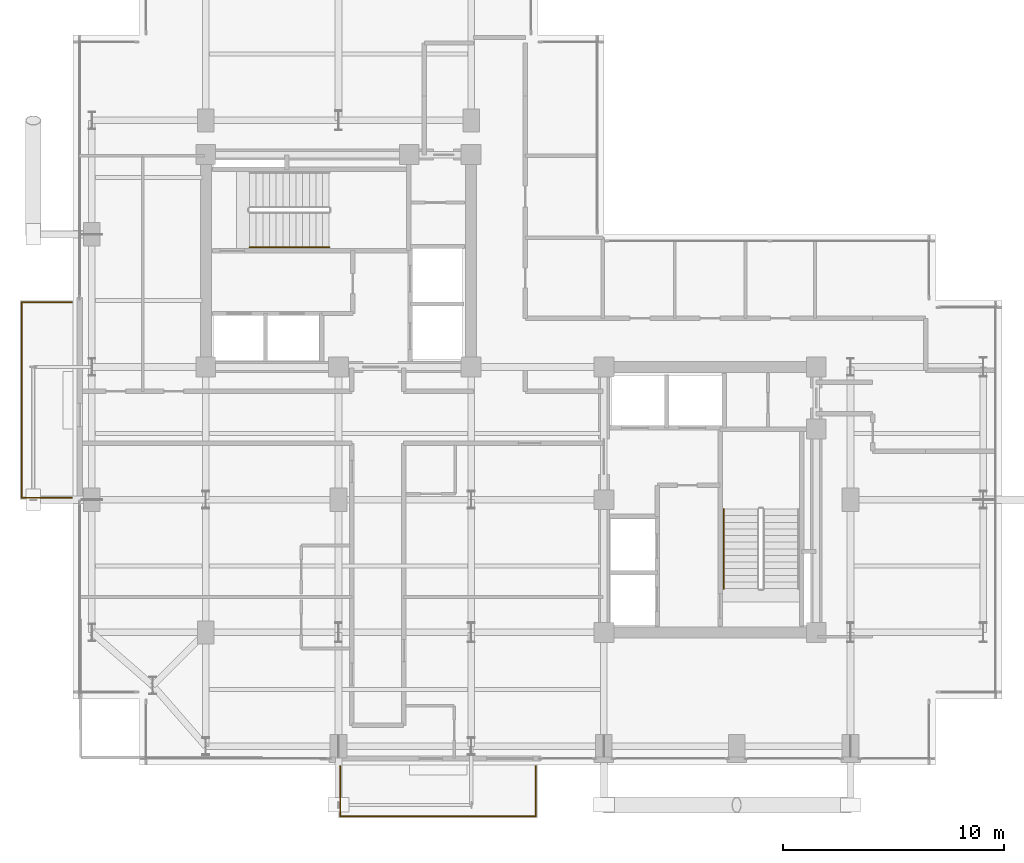
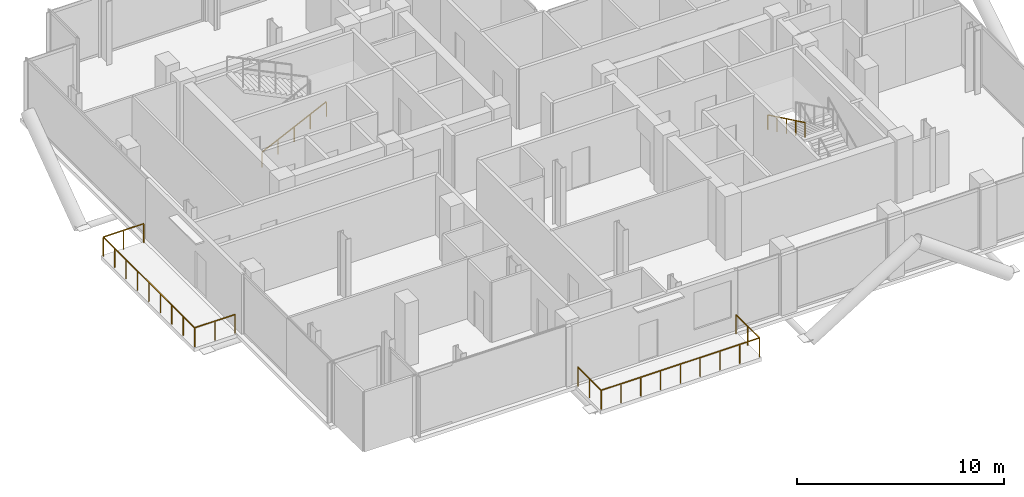
# One storey, part 20 of 21: 4 railings.
"""IFC4 building model written with IfcOpenShell, lengths in metres."""

from ifc_helpers import new_model, si_unit, direction, frame, origin, origin_2d, place, context, subcontext, project, spatial, rectangle, extrude, material, type_object, element, save


model = new_model("IFC4")

# Units and contexts
model_context = context("Model", 3, precision=1e-05, world=origin(), true_north=direction((0.0, 1.0)))
body_context = subcontext(model_context, "Body", "Model", "MODEL_VIEW")
ifc_project = project(units=[si_unit("LENGTHUNIT", "METRE"), si_unit("AREAUNIT", "SQUARE_METRE"), si_unit("VOLUMEUNIT", "CUBIC_METRE"), si_unit("PLANEANGLEUNIT", "RADIAN"), si_unit("MASSUNIT", "GRAM", prefix="KILO"), si_unit("THERMODYNAMICTEMPERATUREUNIT", "KELVIN"), si_unit("POWERUNIT", "WATT")], contexts=[model_context])

# Site, building, storey
site_placement = place(None, origin())
site = spatial("IfcSite", under=ifc_project, at=site_placement, CompositionType="ELEMENT")
building_placement = place(site_placement, origin())
building = spatial("IfcBuilding", under=site, at=building_placement, Name="Svarakhadi Broadcast Tower", CompositionType="ELEMENT")
storey_placement = place(building_placement, frame((0.0, 0.0, 208.64990234375)))
storey = spatial("IfcBuildingStorey", under=building, at=storey_placement, Name="L51", CompositionType="ELEMENT", Elevation=208.64990234375)

# Railings
ifc_material_1 = material(Name="Laminated Structural SentryGlas Balustrade 25.5 mm", Category="glass")
railing_type_1 = type_object("IfcRailingType", Name="Guard_Balcony_GR01", PredefinedType="BALUSTRADE", material=ifc_material_1)
railing_1_placement = place(storey_placement, frame((12.080078125, -0.06005859375, 0.0)))
element("IfcRailing", 1, at=railing_1_placement, inside=storey, type_object=railing_type_1, Name="L51 South Tree Balcony Guard GR-05", PredefinedType="BALUSTRADE", context=body_context, shape_type="SweptSolid", body=[
    extrude(rectangle(XDim=0.048095703125, YDim=0.048095703125, at=origin_2d()), frame((0.0, 0.0, 1.1259765625), z_axis=(0.0, -1.0, 0.0), x_axis=(1.0, 0.0, 0.0)), (0.0, 0.0, 1.0), 2.260009765625),
    extrude(rectangle(XDim=0.048095703125, YDim=0.048095703125, at=origin_2d()), frame((0.0, -2.260009765625, 1.1259765625), z_axis=(1.0, 0.0, 0.0), x_axis=(0.0, 1.0, 0.0)), (0.0, 0.0, 1.0), 8.83984375),
    extrude(rectangle(XDim=0.048095703125, YDim=0.048095703125, at=origin_2d()), frame((8.83984375, -2.260009765625, 1.1259765625), z_axis=(0.0, 1.0, 0.0), x_axis=(-1.0, 0.0, 0.0)), (0.0, 0.0, 1.0), 2.260009765625),
    extrude(rectangle(XDim=0.0419921875, YDim=0.0419921875, at=origin_2d()), origin(), (0.0, 0.0, 1.0), 1.101806640625),
    extrude(rectangle(XDim=0.0419921875, YDim=0.0419921875, at=origin_2d()), frame((0.0, -1.1298828125, 0.0)), (0.0, 0.0, 1.0), 1.101806640625),
    extrude(rectangle(XDim=0.0419921875, YDim=0.0419921875, at=origin_2d()), frame((0.0, -2.260009765625, 0.0)), (0.0, 0.0, 1.0), 1.101806640625),
    extrude(rectangle(XDim=0.0419921875, YDim=0.0419921875, at=origin_2d()), frame((1.10498046875, -2.260009765625, 0.0)), (0.0, 0.0, 1.0), 1.101806640625),
    extrude(rectangle(XDim=0.0419921875, YDim=0.0419921875, at=origin_2d()), frame((2.2099609375, -2.260009765625, 0.0)), (0.0, 0.0, 1.0), 1.101806640625),
    extrude(rectangle(XDim=0.0419921875, YDim=0.0419921875, at=origin_2d()), frame((3.31494140625, -2.260009765625, 0.0)), (0.0, 0.0, 1.0), 1.101806640625),
    extrude(rectangle(XDim=0.0419921875, YDim=0.0419921875, at=origin_2d()), frame((4.419921875, -2.260009765625, 0.0)), (0.0, 0.0, 1.0), 1.101806640625),
    extrude(rectangle(XDim=0.0419921875, YDim=0.0419921875, at=origin_2d()), frame((5.52490234375, -2.260009765625, 0.0)), (0.0, 0.0, 1.0), 1.101806640625),
    extrude(rectangle(XDim=0.0419921875, YDim=0.0419921875, at=origin_2d()), frame((6.6298828125, -2.260009765625, 0.0)), (0.0, 0.0, 1.0), 1.101806640625),
    extrude(rectangle(XDim=0.0419921875, YDim=0.0419921875, at=origin_2d()), frame((7.73486328125, -2.260009765625, 0.0)), (0.0, 0.0, 1.0), 1.101806640625),
    extrude(rectangle(XDim=0.0419921875, YDim=0.0419921875, at=origin_2d()), frame((8.83984375, -2.260009765625, 0.0)), (0.0, 0.0, 1.0), 1.101806640625),
    extrude(rectangle(XDim=0.0419921875, YDim=0.0419921875, at=origin_2d()), frame((8.83984375, -1.1298828125, 0.0)), (0.0, 0.0, 1.0), 1.101806640625),
    extrude(rectangle(XDim=0.0419921875, YDim=0.0419921875, at=origin_2d()), frame((8.83984375, 0.0, 0.0)), (0.0, 0.0, 1.0), 1.101806640625),
])
railing_2_placement = place(storey_placement, frame((-0.06005859375, 12.080078125, 0.0)))
element("IfcRailing", 2, at=railing_2_placement, inside=storey, type_object=railing_type_1, Name="L51 West Tree Balcony Guard GR-05", PredefinedType="BALUSTRADE", context=body_context, shape_type="SweptSolid", body=[
    extrude(rectangle(XDim=0.048095703125, YDim=0.048095703125, at=origin_2d()), frame((0.0, 0.0, 1.1259765625), z_axis=(-1.0, 0.0, 0.0), x_axis=(0.0, -1.0, 0.0)), (0.0, 0.0, 1.0), 2.260009765625),
    extrude(rectangle(XDim=0.048095703125, YDim=0.048095703125, at=origin_2d()), frame((-2.260009765625, 0.0, 1.1259765625), z_axis=(0.0, 1.0, 0.0), x_axis=(-1.0, 0.0, 0.0)), (0.0, 0.0, 1.0), 8.83984375),
    extrude(rectangle(XDim=0.048095703125, YDim=0.048095703125, at=origin_2d()), frame((-2.260009765625, 8.83984375, 1.1259765625), z_axis=(1.0, 0.0, 0.0), x_axis=(0.0, 1.0, 0.0)), (0.0, 0.0, 1.0), 2.260009765625),
    extrude(rectangle(XDim=0.0419921875, YDim=0.0419921875, at=origin_2d()), origin(), (0.0, 0.0, 1.0), 1.101806640625),
    extrude(rectangle(XDim=0.0419921875, YDim=0.0419921875, at=origin_2d()), frame((-1.1298828125, 0.0, 0.0)), (0.0, 0.0, 1.0), 1.101806640625),
    extrude(rectangle(XDim=0.0419921875, YDim=0.0419921875, at=origin_2d()), frame((-2.260009765625, 0.0, 0.0)), (0.0, 0.0, 1.0), 1.101806640625),
    extrude(rectangle(XDim=0.0419921875, YDim=0.0419921875, at=origin_2d()), frame((-2.260009765625, 1.10498046875, 0.0)), (0.0, 0.0, 1.0), 1.101806640625),
    extrude(rectangle(XDim=0.0419921875, YDim=0.0419921875, at=origin_2d()), frame((-2.260009765625, 2.2099609375, 0.0)), (0.0, 0.0, 1.0), 1.101806640625),
    extrude(rectangle(XDim=0.0419921875, YDim=0.0419921875, at=origin_2d()), frame((-2.260009765625, 3.31494140625, 0.0)), (0.0, 0.0, 1.0), 1.101806640625),
    extrude(rectangle(XDim=0.0419921875, YDim=0.0419921875, at=origin_2d()), frame((-2.260009765625, 4.419921875, 0.0)), (0.0, 0.0, 1.0), 1.101806640625),
    extrude(rectangle(XDim=0.0419921875, YDim=0.0419921875, at=origin_2d()), frame((-2.260009765625, 5.52490234375, 0.0)), (0.0, 0.0, 1.0), 1.101806640625),
    extrude(rectangle(XDim=0.0419921875, YDim=0.0419921875, at=origin_2d()), frame((-2.260009765625, 6.6298828125, 0.0)), (0.0, 0.0, 1.0), 1.101806640625),
    extrude(rectangle(XDim=0.0419921875, YDim=0.0419921875, at=origin_2d()), frame((-2.260009765625, 7.73486328125, 0.0)), (0.0, 0.0, 1.0), 1.101806640625),
    extrude(rectangle(XDim=0.0419921875, YDim=0.0419921875, at=origin_2d()), frame((-2.260009765625, 8.83984375, 0.0)), (0.0, 0.0, 1.0), 1.101806640625),
    extrude(rectangle(XDim=0.0419921875, YDim=0.0419921875, at=origin_2d()), frame((-1.1298828125, 8.83984375, 0.0)), (0.0, 0.0, 1.0), 1.101806640625),
    extrude(rectangle(XDim=0.0419921875, YDim=0.0419921875, at=origin_2d()), frame((0.0, 8.83984375, 0.0)), (0.0, 0.0, 1.0), 1.101806640625),
])
ifc_material_2 = material(Name="Anodised Bronze Aluminium AA 6063-T6", Category="aluminium")
railing_type_2 = type_object("IfcRailingType", Name="Handrail_Stair_HR01", PredefinedType="HANDRAIL", material=ifc_material_2)
railing_3_placement = place(storey_placement, frame((7.97998046875, 23.409912109375, 0.144287109375)))
element("IfcRailing", 3, at=railing_3_placement, inside=storey, type_object=railing_type_2, Name="L51 ST-01 stair handrail 1", PredefinedType="HANDRAIL", context=body_context, shape_type="SweptSolid", body=[
    extrude(rectangle(XDim=0.048095703125, YDim=0.048095703125, at=origin_2d()), frame((0.0, 0.0, 0.8759765625), z_axis=(0.901262522062, 0.0, 0.433273431364), x_axis=(0.0, 1.0, 0.0)), (0.0, 0.0, 1.0), 3.994384765625),
    extrude(rectangle(XDim=0.0419921875, YDim=0.0419921875, at=origin_2d()), origin(), (0.0, 0.0, 1.0), 0.851806640625),
    extrude(rectangle(XDim=0.0419921875, YDim=0.0419921875, at=origin_2d()), frame((0.89990234375, 0.0, 0.4326171875)), (0.0, 0.0, 1.0), 0.851806640625),
    extrude(rectangle(XDim=0.0419921875, YDim=0.0419921875, at=origin_2d()), frame((1.800048828125, 0.0, 0.865234375)), (0.0, 0.0, 1.0), 0.851806640625),
    extrude(rectangle(XDim=0.0419921875, YDim=0.0419921875, at=origin_2d()), frame((2.7001953125, 0.0, 1.298095703125)), (0.0, 0.0, 1.0), 0.851806640625),
    extrude(rectangle(XDim=0.0419921875, YDim=0.0419921875, at=origin_2d()), frame((3.60009765625, 0.0, 1.730712890625)), (0.0, 0.0, 1.0), 0.851806640625),
])
railing_4_placement = place(storey_placement, frame((29.409912109375, 11.580078125, 2.019287109375)))
element("IfcRailing", 4, at=railing_4_placement, inside=storey, type_object=railing_type_2, Name="L51 ST-02 stair handrail 2", PredefinedType="HANDRAIL", context=body_context, shape_type="SweptSolid", body=[
    extrude(rectangle(XDim=0.048095703125, YDim=0.048095703125, at=origin_2d()), frame((0.0, 0.0, 0.8759765625), z_axis=(0.0, -0.901262522062, 0.433273431364), x_axis=(1.0, 0.0, 0.0)), (0.0, 0.0, 1.0), 3.994384765625),
    extrude(rectangle(XDim=0.0419921875, YDim=0.0419921875, at=origin_2d()), origin(), (0.0, 0.0, 1.0), 0.851806640625),
    extrude(rectangle(XDim=0.0419921875, YDim=0.0419921875, at=origin_2d()), frame((0.0, -0.89990234375, 0.4326171875)), (0.0, 0.0, 1.0), 0.851806640625),
    extrude(rectangle(XDim=0.0419921875, YDim=0.0419921875, at=origin_2d()), frame((0.0, -1.800048828125, 0.865234375)), (0.0, 0.0, 1.0), 0.851806640625),
    extrude(rectangle(XDim=0.0419921875, YDim=0.0419921875, at=origin_2d()), frame((0.0, -2.7001953125, 1.298095703125)), (0.0, 0.0, 1.0), 0.851806640625),
    extrude(rectangle(XDim=0.0419921875, YDim=0.0419921875, at=origin_2d()), frame((0.0, -3.60009765625, 1.730712890625)), (0.0, 0.0, 1.0), 0.851806640625),
])

save(model, "model.ifc")
